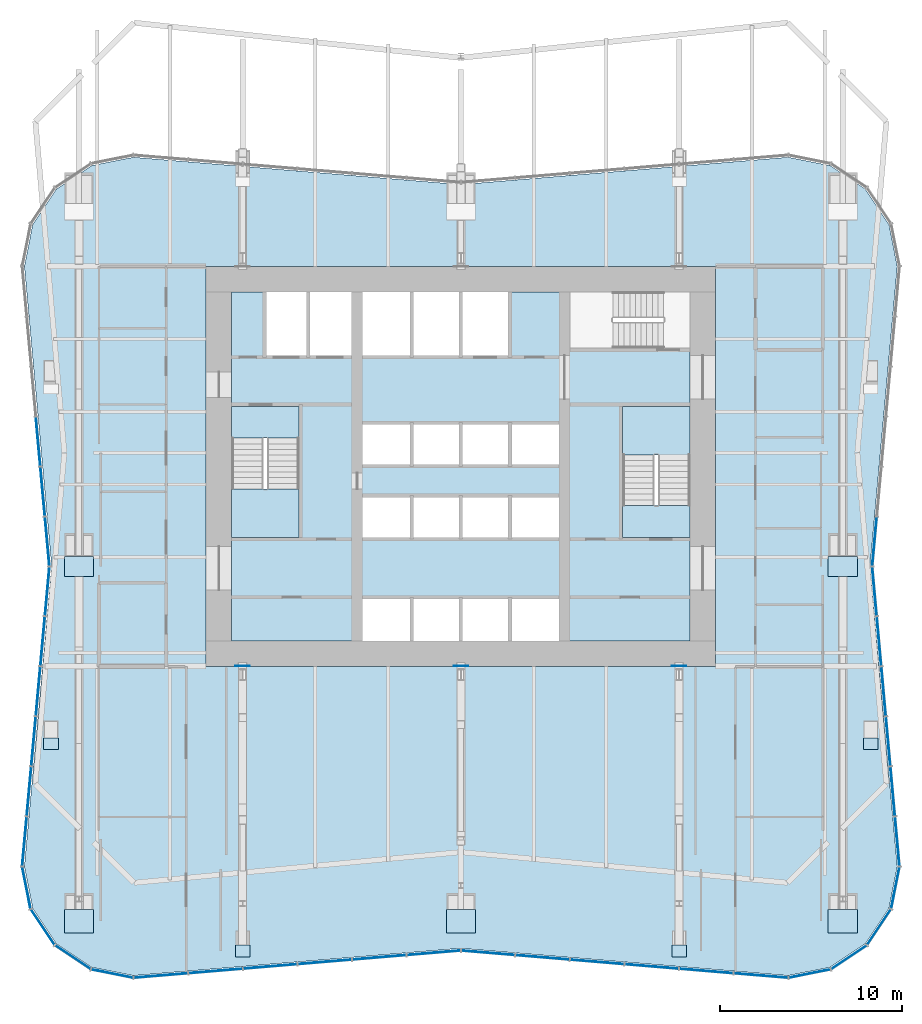
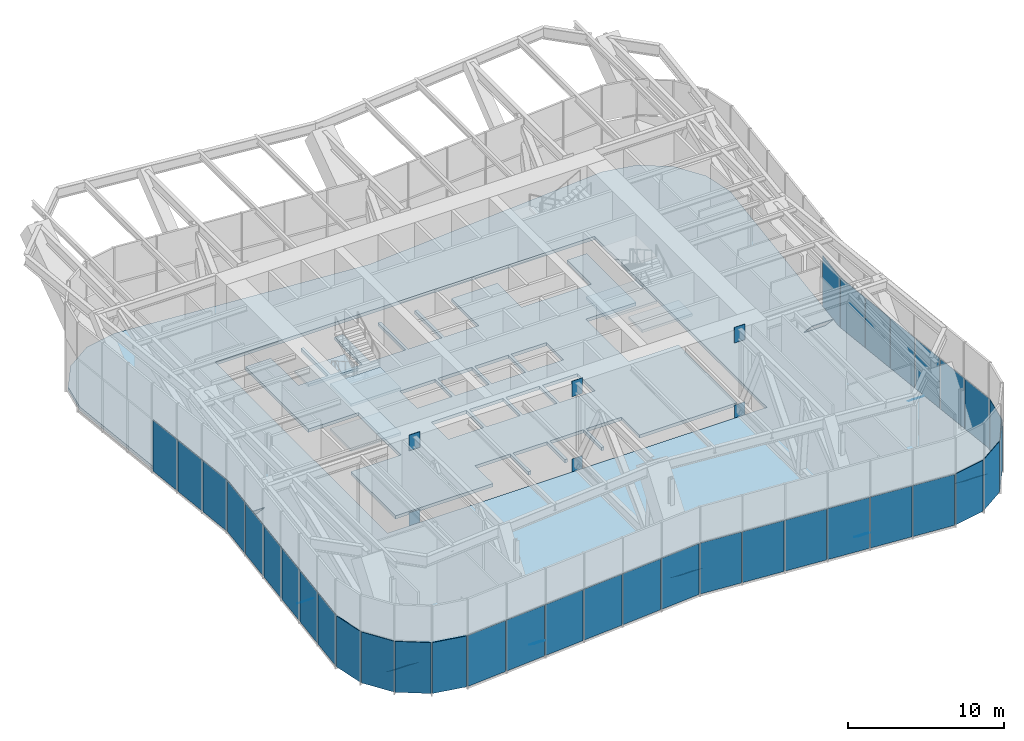
# One storey, part 10 of 17: 51 plates, 7 slabs, 7 elements without a shape of their own.
"""IFC4 building model written with IfcOpenShell, lengths in metres."""

import ifcopenshell
import ifcopenshell.guid

model = None  # the IFC model being written
_history = None  # IfcOwnerHistory: only IFC2X3 demands one
_inside = {}  # id of a spatial element -> (the spatial element, [elements in it])
_under = {}  # id of a project, library or spatial element -> (it, [spatial elements below it])
_declared = {}  # id of a project -> (the project, [libraries it declares])
_typed = {}  # id of a type object -> (the type object, [elements of that type])
_made_of = {}  # id of a material, layer set ... -> (it, [elements and type objects made of it])


def new_model(schema):
    """Start an empty IFC model of exactly this schema.

    Asked for "IFC4X3", IfcOpenShell would pick the latest addendum, in which some entities
    have other attributes; the version numbers below select the first issue.
    IFC2X3 requires an IfcOwnerHistory on every rooted entity: one is made here for all.
    """
    global model, _history
    if schema == "IFC4X3":
        model = ifcopenshell.file(schema_version=(4, 3, 0, 0))
    else:
        model = ifcopenshell.file(schema=schema)
    _inside.clear()
    _under.clear()
    _declared.clear()
    _typed.clear()
    _made_of.clear()
    _history = None
    if model.schema == "IFC2X3":
        org = make("IfcOrganization", Name="unknown")
        user = make(
            "IfcPersonAndOrganization",
            ThePerson=make("IfcPerson", FamilyName="unknown"),
            TheOrganization=org,
        )
        app = make(
            "IfcApplication",
            ApplicationDeveloper=org,
            Version="unknown",
            ApplicationFullName="unknown",
            ApplicationIdentifier="unknown",
        )
        _history = make(
            "IfcOwnerHistory",
            OwningUser=user,
            OwningApplication=app,
            ChangeAction="ADDED",
            CreationDate=0,
        )
    return model


def make(cls, **values):
    """One entity of the class cls with the attributes given. An attribute that is None is left unset."""
    return model.create_entity(
        cls, **{name: value for name, value in values.items() if value is not None}
    )


def rooted(cls, **values):
    """An entity with a GlobalId (a new one), such as an element, a storey or a relation."""
    return make(cls, GlobalId=ifcopenshell.guid.new(), OwnerHistory=_history, **values)


def si_unit(unit_type, name, prefix=None):
    """IfcSIUnit, for example si_unit("LENGTHUNIT", "METRE", prefix="MILLI")."""
    return make("IfcSIUnit", UnitType=unit_type, Prefix=prefix, Name=name)


def assignment(units):
    """IfcUnitAssignment: the units of a project."""
    return None if units is None else make("IfcUnitAssignment", Units=units)


def point(xyz):
    """IfcCartesianPoint."""
    return None if xyz is None else make("IfcCartesianPoint", Coordinates=xyz)


def direction(xyz):
    """IfcDirection."""
    return None if xyz is None else make("IfcDirection", DirectionRatios=xyz)


def frame(location, z_axis=None, x_axis=None):
    """IfcAxis2Placement3D, a coordinate frame: its origin and axes. An axis left out is left unset."""
    return make(
        "IfcAxis2Placement3D",
        Location=point(location),
        Axis=direction(z_axis),
        RefDirection=direction(x_axis),
    )


def frame_2d(location, x_axis=None):
    """IfcAxis2Placement2D, a coordinate frame in the plane: its origin and x axis."""
    return make(
        "IfcAxis2Placement2D", Location=point(location), RefDirection=direction(x_axis)
    )


def origin():
    """The frame at (0, 0, 0) with its axes left unset."""
    return frame((0.0, 0.0, 0.0))


def origin_2d():
    """The frame at (0, 0) in the plane with its x axis left unset."""
    return frame_2d((0.0, 0.0))


def place(relative_to, where):
    """IfcLocalPlacement: puts the frame where relative to a parent placement (None: the world)."""
    return make(
        "IfcLocalPlacement", PlacementRelTo=relative_to, RelativePlacement=where
    )


def context(
    kind, dimensions, precision=None, world=None, true_north=None, identifier=None
):
    """IfcGeometricRepresentationContext, for example the 3D "Model" context."""
    return make(
        "IfcGeometricRepresentationContext",
        ContextIdentifier=identifier,
        ContextType=kind,
        CoordinateSpaceDimension=dimensions,
        Precision=precision,
        WorldCoordinateSystem=world,
        TrueNorth=true_north,
    )


def subcontext(parent, identifier, kind, view, scale=None):
    """IfcGeometricRepresentationSubContext, for example "Body" below "Model"."""
    return make(
        "IfcGeometricRepresentationSubContext",
        ContextIdentifier=identifier,
        ContextType=kind,
        ParentContext=parent,
        TargetScale=scale,
        TargetView=view,
    )


def project(units=None, contexts=None):
    """IfcProject with its units and contexts."""
    return rooted(
        "IfcProject",
        Name="project",
        RepresentationContexts=contexts,
        UnitsInContext=assignment(units),
    )


def spatial(cls, under=None, at=None, **own):
    """A site, building, storey or space (cls), placed at a placement, below another one or the project."""
    s = rooted(cls, ObjectPlacement=at, **own)
    if under is not None:
        _under.setdefault(under.id(), (under, []))[1].append(s)
    return s


def polyline(points):
    """IfcPolyline through the points."""
    return make("IfcPolyline", Points=[point(p) for p in points])


def profile(cls, at=None, kind="AREA", **sizes):
    """A parametric profile (cls). Its sizes go by their IFC names, for example OverallWidth=200.0."""
    return make(cls, ProfileType=kind, Position=at, **sizes)


def rectangle(**sizes):
    """IfcRectangleProfileDef."""
    return profile("IfcRectangleProfileDef", **sizes)


def outline(outer, holes=None, kind="AREA"):
    """IfcArbitraryClosedProfileDef: a profile drawn as a closed curve; with holes, ...WithVoids."""
    if holes is None:
        return make("IfcArbitraryClosedProfileDef", ProfileType=kind, OuterCurve=outer)
    return make(
        "IfcArbitraryProfileDefWithVoids",
        ProfileType=kind,
        OuterCurve=outer,
        InnerCurves=holes,
    )


def extrude(swept, where, along, depth):
    """IfcExtrudedAreaSolid: the profile swept, set in the frame where, extruded along a direction by depth."""
    return make(
        "IfcExtrudedAreaSolid",
        SweptArea=swept,
        Position=where,
        ExtrudedDirection=direction(along),
        Depth=depth,
    )


def shape(context_of_items, identifier, shape_type, items):
    """IfcShapeRepresentation: the items that make up one representation, for example the "Body"."""
    return make(
        "IfcShapeRepresentation",
        ContextOfItems=context_of_items,
        RepresentationIdentifier=identifier,
        RepresentationType=shape_type,
        Items=items,
    )


def material(Name=None, Category=None):
    """IfcMaterial."""
    return make("IfcMaterial", Name=Name, Category=Category)


def layer(
    of_material, thickness, ventilated=None, Name=None, Category=None, Priority=None
):
    """IfcMaterialLayer: one layer of a wall or slab, of a material (None: an air gap)."""
    return make(
        "IfcMaterialLayer",
        Material=of_material,
        LayerThickness=thickness,
        IsVentilated=ventilated,
        Name=Name,
        Category=Category,
        Priority=Priority,
    )


def layer_set(layers, Name=None):
    """IfcMaterialLayerSet."""
    return make("IfcMaterialLayerSet", MaterialLayers=layers, LayerSetName=Name)


def made_of(thing, what):
    """Note that an element or type object is made of a material, layer set ...; save() writes the relation."""
    if what is not None:
        _made_of.setdefault(what.id(), (what, []))[1].append(thing)
    return thing


def type_object(cls, material=None, **own):
    """A type object (cls), such as IfcWallType, which elements share."""
    return made_of(rooted(cls, **own), material)


def element(
    cls,
    number,
    at=None,
    inside=None,
    cuts=None,
    type_object=None,
    material=None,
    context=None,
    identifier="Body",
    shape_type=None,
    held_by="IfcProductDefinitionShape",
    body=None,
    shapes=None,
    **own,
):
    """One element of the class cls, such as IfcWall. Its Tag is "e" and its number.

    at: its placement. inside: the storey or other place that contains it. cuts: it is an
    opening in that element (IfcRelVoidsElement). A single representation is given by context,
    identifier, shape_type and body (its items); several are given by shapes. held_by: the class
    of the entity that holds the representations. save() writes the other relations.
    """
    e = rooted(cls, Tag="e%d" % number, ObjectPlacement=at, **own)
    if body is not None:
        shapes = [shape(context, identifier, shape_type, body)]
    if shapes is not None:
        e.Representation = make(held_by, Representations=shapes)
    if inside is not None:
        _inside.setdefault(inside.id(), (inside, []))[1].append(e)
    if cuts is not None:
        rooted(
            "IfcRelVoidsElement", RelatingBuildingElement=cuts, RelatedOpeningElement=e
        )
    if type_object is not None:
        _typed.setdefault(type_object.id(), (type_object, []))[1].append(e)
    return made_of(e, material)


def aggregate(whole, parts):
    """IfcRelAggregates: a whole, such as a stair, and the parts it consists of."""
    return rooted("IfcRelAggregates", RelatingObject=whole, RelatedObjects=parts)


def save(model, path):
    """Write the relations noted so far, then the file.

    IfcRelAggregates (storeys below a building ...), IfcRelContainedInSpatialStructure (elements
    in a storey), IfcRelDefinesByType, IfcRelAssociatesMaterial and IfcRelDeclares: one each for
    every whole, place, type object, material and project.
    """
    for whole, parts in _under.values():
        aggregate(whole, parts)
    for where, things in _inside.values():
        rooted(
            "IfcRelContainedInSpatialStructure",
            RelatedElements=things,
            RelatingStructure=where,
        )
    for kind, things in _typed.values():
        rooted("IfcRelDefinesByType", RelatedObjects=things, RelatingType=kind)
    for what, things in _made_of.values():
        rooted("IfcRelAssociatesMaterial", RelatedObjects=things, RelatingMaterial=what)
    for by, libraries in _declared.values():
        rooted("IfcRelDeclares", RelatingContext=by, RelatedDefinitions=libraries)
    model.write(path)


model = new_model("IFC4")

# Units and contexts
model_context = context("Model", 3, precision=1e-05, world=origin(), true_north=direction((0.0, 1.0)))
body_context = subcontext(model_context, "Body", "Model", "MODEL_VIEW")
ifc_project = project(units=[si_unit("LENGTHUNIT", "METRE"), si_unit("AREAUNIT", "SQUARE_METRE"), si_unit("VOLUMEUNIT", "CUBIC_METRE"), si_unit("PLANEANGLEUNIT", "RADIAN"), si_unit("MASSUNIT", "GRAM", prefix="KILO")], contexts=[model_context])

# Site, building, storey
site_placement = place(None, origin())
site = spatial("IfcSite", under=ifc_project, at=site_placement, CompositionType="ELEMENT")
building_placement = place(site_placement, origin())
building = spatial("IfcBuilding", under=site, at=building_placement, Name="Verdant Reach Tower", CompositionType="ELEMENT")
storey_placement = place(building_placement, frame((0.0, 0.0, 58.0)))
storey = spatial("IfcBuildingStorey", under=building, at=storey_placement, Name="L13 Plant", CompositionType="ELEMENT", Elevation=58.0)

# Stair, slabs
ifc_material_1 = material(Name="Concrete C40/50", Category="concrete")
stair_type = type_object("IfcStairType", Name="CO-STAIR", PredefinedType="HALF_TURN_STAIR", material=ifc_material_1)
stair_1_placement = place(storey_placement, origin())
stair_1 = element("IfcStair", 1, at=stair_1_placement, inside=storey, type_object=stair_type, Name="L13 Plant Exit stair 1", PredefinedType="HALF_TURN_STAIR")
ifc_layer_1 = layer(ifc_material_1, 0.199951171875)
ifc_layer_set_1 = layer_set([ifc_layer_1], Name="CO-STAIR-LANDING")
slab_type_1 = type_object("IfcSlabType", Name="CO-STAIR-LANDING", PredefinedType="LANDING", material=ifc_layer_set_1)
slab_1_placement = place(storey_placement, frame((0.0, 0.0, 1.550048828125)))
slab_1 = element("IfcSlab", 2, at=slab_1_placement, type_object=slab_type_1, Name="ST-1 landing 1", PredefinedType="LANDING", context=body_context, shape_type="SweptSolid", body=[
    extrude(outline(polyline([(-12.60009765625, 26.760009765625), (-12.60009765625, 24.10009765625), (-8.89990234375, 24.10009765625), (-8.89990234375, 26.760009765625), (-12.60009765625, 26.760009765625)])), origin(), (0.0, 0.0, 1.0), 0.199951171875),
])
slab_2_placement = place(storey_placement, frame((0.0, 0.0, 3.300048828125)))
slab_2 = element("IfcSlab", 3, at=slab_2_placement, type_object=slab_type_1, Name="ST-1 landing 2", PredefinedType="LANDING", context=body_context, shape_type="SweptSolid", body=[
    extrude(outline(polyline([(-12.60009765625, 31.300048828125), (-12.60009765625, 29.550048828125), (-8.89990234375, 29.550048828125), (-8.89990234375, 31.300048828125), (-12.60009765625, 31.300048828125)])), origin(), (0.0, 0.0, 1.0), 0.199951171875),
])
slab_3_placement = place(storey_placement, frame((0.0, 0.0, 5.050048828125)))
slab_3 = element("IfcSlab", 4, at=slab_3_placement, type_object=slab_type_1, Name="ST-1 landing 3", PredefinedType="LANDING", context=body_context, shape_type="SweptSolid", body=[
    extrude(outline(polyline([(-12.60009765625, 26.760009765625), (-12.60009765625, 24.10009765625), (-8.89990234375, 24.10009765625), (-8.89990234375, 26.760009765625), (-12.60009765625, 26.760009765625)])), origin(), (0.0, 0.0, 1.0), 0.199951171875),
])
aggregate(stair_1, [slab_1, slab_2, slab_3])

stair_2_placement = place(storey_placement, origin())
stair_2 = element("IfcStair", 5, at=stair_2_placement, inside=storey, type_object=stair_type, Name="L13 Plant Exit stair 2", PredefinedType="HALF_TURN_STAIR")
slab_4_placement = place(storey_placement, frame((0.0, 0.0, 1.550048828125)))
slab_4 = element("IfcSlab", 6, at=slab_4_placement, type_object=slab_type_1, Name="ST-2 landing 1", PredefinedType="LANDING", context=body_context, shape_type="SweptSolid", body=[
    extrude(outline(polyline([(12.60009765625, 28.639892578125), (12.60009765625, 31.300048828125), (8.89990234375, 31.300048828125), (8.89990234375, 28.639892578125), (12.60009765625, 28.639892578125)])), origin(), (0.0, 0.0, 1.0), 0.199951171875),
])
slab_5_placement = place(storey_placement, frame((0.0, 0.0, 3.300048828125)))
slab_5 = element("IfcSlab", 7, at=slab_5_placement, type_object=slab_type_1, Name="ST-2 landing 2", PredefinedType="LANDING", context=body_context, shape_type="SweptSolid", body=[
    extrude(outline(polyline([(12.60009765625, 24.10009765625), (12.60009765625, 25.85009765625), (8.89990234375, 25.85009765625), (8.89990234375, 24.10009765625), (12.60009765625, 24.10009765625)])), origin(), (0.0, 0.0, 1.0), 0.199951171875),
])
aggregate(stair_2, [slab_4, slab_5])

# Curtain wall, plates
ifc_material_2 = material(Name="Anodised aluminium", Category="aluminium")
curtain_wall_type = type_object("IfcCurtainWallType", Name="EN-CW SYSTEM PLANT", PredefinedType="NOTDEFINED", material=ifc_material_2)
curtain_wall_1_placement = place(storey_placement, origin())
curtain_wall_1 = element("IfcCurtainWall", 8, at=curtain_wall_1_placement, inside=storey, type_object=curtain_wall_type, Name="Curtain wall south-east corner, L13", PredefinedType="NOTDEFINED")
ifc_material_3 = material(Name="Bronze anodised aluminium solid panel", Category="aluminium")
ifc_layer_2 = layer(ifc_material_3, 0.0400390625)
ifc_layer_set_2 = layer_set([ifc_layer_2], Name="EN-PANEL SOLID")
plate_type_1 = type_object("IfcPlateType", Name="EN-PANEL SOLID", PredefinedType="CURTAIN_PANEL", material=ifc_layer_set_2)
plate_1_placement = place(storey_placement, frame((19.174072265625, 0.114013671875, -0.199951171875), z_axis=(0.0, 0.0, 1.0), x_axis=(0.980694678629, 0.195545256419, 0.0)))
plate_1 = element("IfcPlate", 9, at=plate_1_placement, type_object=plate_type_1, Name="Solid panel south-east corner 1.1, L13", PredefinedType="CURTAIN_PANEL", context=body_context, shape_type="SweptSolid", body=[
    extrude(rectangle(XDim=2.304931640625, YDim=0.0400390625, at=origin_2d()), origin(), (0.0, 0.0, 1.0), 3.97509765625),
])
plate_2_placement = place(storey_placement, frame((21.334228515625, 1.010009765625, -0.199951171875), z_axis=(0.0, 0.0, 1.0), x_axis=(0.83145208321, 0.555596466265, 0.0)))
plate_2 = element("IfcPlate", 10, at=plate_2_placement, type_object=plate_type_1, Name="Solid panel south-east corner 2.1, L13", PredefinedType="CURTAIN_PANEL", context=body_context, shape_type="SweptSolid", body=[
    extrude(rectangle(XDim=2.3115234375, YDim=0.0400390625, at=origin_2d()), origin(), (0.0, 0.0, 1.0), 3.97509765625),
])
plate_3_placement = place(storey_placement, frame((22.989990234375, 2.665771484375, -0.199951171875), z_axis=(0.0, 0.0, 1.0), x_axis=(0.555596466265, 0.83145208321, 0.0)))
plate_3 = element("IfcPlate", 11, at=plate_3_placement, type_object=plate_type_1, Name="Solid panel south-east corner 3.1, L13", PredefinedType="CURTAIN_PANEL", context=body_context, shape_type="SweptSolid", body=[
    extrude(rectangle(XDim=2.3115234375, YDim=0.0400390625, at=origin_2d()), origin(), (0.0, 0.0, 1.0), 3.97509765625),
])
plate_4_placement = place(storey_placement, frame((23.885986328125, 4.825927734375, -0.199951171875), z_axis=(0.0, 0.0, 1.0), x_axis=(0.195519165622, 0.980699880633, 0.0)))
plate_4 = element("IfcPlate", 12, at=plate_4_placement, type_object=plate_type_1, Name="Solid panel south-east corner 4.1, L13", PredefinedType="CURTAIN_PANEL", context=body_context, shape_type="SweptSolid", body=[
    extrude(rectangle(XDim=2.305419921875, YDim=0.0400390625, at=origin_2d()), origin(), (0.0, 0.0, 1.0), 3.97509765625),
])
aggregate(curtain_wall_1, [plate_1, plate_2, plate_3, plate_4])

curtain_wall_2_placement = place(storey_placement, origin())
curtain_wall_2 = element("IfcCurtainWall", 13, at=curtain_wall_2_placement, inside=storey, type_object=curtain_wall_type, Name="Curtain wall east, L13", PredefinedType="NOTDEFINED")
plate_5_placement = place(storey_placement, frame((23.99365234375, 7.377197265625, -0.199951171875), z_axis=(0.0, 0.0, 1.0), x_axis=(-0.090097307904, 0.995932967176, 0.0)))
plate_5 = element("IfcPlate", 14, at=plate_5_placement, type_object=plate_type_1, Name="Solid panel east face part 1 1.1, L13", PredefinedType="CURTAIN_PANEL", context=body_context, shape_type="SweptSolid", body=[
    extrude(rectangle(XDim=2.702392578125, YDim=0.0400390625, at=origin_2d()), origin(), (0.0, 0.0, 1.0), 3.97509765625),
])
plate_6_placement = place(storey_placement, frame((23.743408203125, 10.1357421875, -0.199951171875), z_axis=(0.0, 0.0, 1.0), x_axis=(-0.090535746047, 0.995893206467, 0.0)))
plate_6 = element("IfcPlate", 15, at=plate_6_placement, type_object=plate_type_1, Name="Solid panel east face part 1 2.1, L13", PredefinedType="CURTAIN_PANEL", context=body_context, shape_type="SweptSolid", body=[
    extrude(rectangle(XDim=2.685302734375, YDim=0.0400390625, at=origin_2d()), origin(), (0.0, 0.0, 1.0), 3.97509765625),
])
plate_7_placement = place(storey_placement, frame((23.493408203125, 12.8857421875, -0.199951171875), z_axis=(0.0, 0.0, 1.0), x_axis=(-0.090535746047, 0.995893206467, 0.0)))
plate_7 = element("IfcPlate", 16, at=plate_7_placement, type_object=plate_type_1, Name="Solid panel east face part 1 3.1, L13", PredefinedType="CURTAIN_PANEL", context=body_context, shape_type="SweptSolid", body=[
    extrude(rectangle(XDim=2.685302734375, YDim=0.0400390625, at=origin_2d()), origin(), (0.0, 0.0, 1.0), 3.97509765625),
])
plate_8_placement = place(storey_placement, frame((23.243408203125, 15.6357421875, -0.199951171875), z_axis=(0.0, 0.0, 1.0), x_axis=(-0.090535746047, 0.995893206467, 0.0)))
plate_8 = element("IfcPlate", 17, at=plate_8_placement, type_object=plate_type_1, Name="Solid panel east face part 1 4.1, L13", PredefinedType="CURTAIN_PANEL", context=body_context, shape_type="SweptSolid", body=[
    extrude(rectangle(XDim=2.685302734375, YDim=0.0400390625, at=origin_2d()), origin(), (0.0, 0.0, 1.0), 3.97509765625),
])
plate_9_placement = place(storey_placement, frame((22.993408203125, 18.3857421875, -0.199951171875), z_axis=(0.0, 0.0, 1.0), x_axis=(-0.090535746047, 0.995893206467, 0.0)))
plate_9 = element("IfcPlate", 18, at=plate_9_placement, type_object=plate_type_1, Name="Solid panel east face part 1 5.1, L13", PredefinedType="CURTAIN_PANEL", context=body_context, shape_type="SweptSolid", body=[
    extrude(rectangle(XDim=2.685302734375, YDim=0.0400390625, at=origin_2d()), origin(), (0.0, 0.0, 1.0), 3.97509765625),
])
plate_10_placement = place(storey_placement, frame((22.74365234375, 21.13037109375, -0.199951171875), z_axis=(0.0, 0.0, 1.0), x_axis=(-0.090712690488, 0.99587710476, 0.0)))
plate_10 = element("IfcPlate", 19, at=plate_10_placement, type_object=plate_type_1, Name="Solid panel east face part 1 6.1, L13", PredefinedType="CURTAIN_PANEL", context=body_context, shape_type="SweptSolid", body=[
    extrude(rectangle(XDim=2.674560546875, YDim=0.0400390625, at=origin_2d()), origin(), (0.0, 0.0, 1.0), 3.97509765625),
])
plate_11_placement = place(storey_placement, frame((22.74365234375, 23.86962890625, -0.199951171875), z_axis=(0.0, 0.0, 1.0), x_axis=(0.090712690488, 0.99587710476, 0.0)))
plate_11 = element("IfcPlate", 20, at=plate_11_placement, type_object=plate_type_1, Name="Solid panel east face part 2 1.1, L13", PredefinedType="CURTAIN_PANEL", context=body_context, shape_type="SweptSolid", body=[
    extrude(rectangle(XDim=2.674560546875, YDim=0.0400390625, at=origin_2d()), origin(), (0.0, 0.0, 1.0), 3.97509765625),
])
aggregate(curtain_wall_2, [plate_5, plate_6, plate_7, plate_8, plate_9, plate_10, plate_11])

curtain_wall_3_placement = place(storey_placement, origin())
curtain_wall_3 = element("IfcCurtainWall", 21, at=curtain_wall_3_placement, inside=storey, type_object=curtain_wall_type, Name="Curtain wall west, L13", PredefinedType="NOTDEFINED")
plate_12_placement = place(storey_placement, frame((-23.243408203125, 29.3642578125, -0.199951171875), z_axis=(0.0, 0.0, 1.0), x_axis=(0.090535746047, -0.995893206467, 0.0)))
plate_12 = element("IfcPlate", 22, at=plate_12_placement, type_object=plate_type_1, Name="Solid panel west face part 1 4.1, L13", PredefinedType="CURTAIN_PANEL", context=body_context, shape_type="SweptSolid", body=[
    extrude(rectangle(XDim=2.685302734375, YDim=0.0400390625, at=origin_2d()), origin(), (0.0, 0.0, 1.0), 3.97509765625),
])
plate_13_placement = place(storey_placement, frame((-22.993408203125, 26.6142578125, -0.199951171875), z_axis=(0.0, 0.0, 1.0), x_axis=(0.090535746047, -0.995893206467, 0.0)))
plate_13 = element("IfcPlate", 23, at=plate_13_placement, type_object=plate_type_1, Name="Solid panel west face part 1 5.1, L13", PredefinedType="CURTAIN_PANEL", context=body_context, shape_type="SweptSolid", body=[
    extrude(rectangle(XDim=2.685302734375, YDim=0.0400390625, at=origin_2d()), origin(), (0.0, 0.0, 1.0), 3.97509765625),
])
plate_14_placement = place(storey_placement, frame((-22.74365234375, 23.86962890625, -0.199951171875), z_axis=(0.0, 0.0, 1.0), x_axis=(0.090712690488, -0.99587710476, 0.0)))
plate_14 = element("IfcPlate", 24, at=plate_14_placement, type_object=plate_type_1, Name="Solid panel west face part 1 6.1, L13", PredefinedType="CURTAIN_PANEL", context=body_context, shape_type="SweptSolid", body=[
    extrude(rectangle(XDim=2.674560546875, YDim=0.0400390625, at=origin_2d()), origin(), (0.0, 0.0, 1.0), 3.97509765625),
])
plate_15_placement = place(storey_placement, frame((-22.74365234375, 21.13037109375, -0.199951171875), z_axis=(0.0, 0.0, 1.0), x_axis=(-0.090712690488, -0.99587710476, 0.0)))
plate_15 = element("IfcPlate", 25, at=plate_15_placement, type_object=plate_type_1, Name="Solid panel west face part 2 1.1, L13", PredefinedType="CURTAIN_PANEL", context=body_context, shape_type="SweptSolid", body=[
    extrude(rectangle(XDim=2.674560546875, YDim=0.0400390625, at=origin_2d()), origin(), (0.0, 0.0, 1.0), 3.97509765625),
])
plate_16_placement = place(storey_placement, frame((-22.993408203125, 18.3857421875, -0.199951171875), z_axis=(0.0, 0.0, 1.0), x_axis=(-0.090535746047, -0.995893206467, 0.0)))
plate_16 = element("IfcPlate", 26, at=plate_16_placement, type_object=plate_type_1, Name="Solid panel west face part 2 2.1, L13", PredefinedType="CURTAIN_PANEL", context=body_context, shape_type="SweptSolid", body=[
    extrude(rectangle(XDim=2.685302734375, YDim=0.0400390625, at=origin_2d()), origin(), (0.0, 0.0, 1.0), 3.97509765625),
])
plate_17_placement = place(storey_placement, frame((-23.243408203125, 15.6357421875, -0.199951171875), z_axis=(0.0, 0.0, 1.0), x_axis=(-0.090535746047, -0.995893206467, 0.0)))
plate_17 = element("IfcPlate", 27, at=plate_17_placement, type_object=plate_type_1, Name="Solid panel west face part 2 3.1, L13", PredefinedType="CURTAIN_PANEL", context=body_context, shape_type="SweptSolid", body=[
    extrude(rectangle(XDim=2.685302734375, YDim=0.0400390625, at=origin_2d()), origin(), (0.0, 0.0, 1.0), 3.97509765625),
])
plate_18_placement = place(storey_placement, frame((-23.493408203125, 12.8857421875, -0.199951171875), z_axis=(0.0, 0.0, 1.0), x_axis=(-0.090535746047, -0.995893206467, 0.0)))
plate_18 = element("IfcPlate", 28, at=plate_18_placement, type_object=plate_type_1, Name="Solid panel west face part 2 4.1, L13", PredefinedType="CURTAIN_PANEL", context=body_context, shape_type="SweptSolid", body=[
    extrude(rectangle(XDim=2.685302734375, YDim=0.0400390625, at=origin_2d()), origin(), (0.0, 0.0, 1.0), 3.97509765625),
])
plate_19_placement = place(storey_placement, frame((-23.743408203125, 10.1357421875, -0.199951171875), z_axis=(0.0, 0.0, 1.0), x_axis=(-0.090535746047, -0.995893206467, 0.0)))
plate_19 = element("IfcPlate", 29, at=plate_19_placement, type_object=plate_type_1, Name="Solid panel west face part 2 5.1, L13", PredefinedType="CURTAIN_PANEL", context=body_context, shape_type="SweptSolid", body=[
    extrude(rectangle(XDim=2.685302734375, YDim=0.0400390625, at=origin_2d()), origin(), (0.0, 0.0, 1.0), 3.97509765625),
])
plate_20_placement = place(storey_placement, frame((-23.99365234375, 7.377197265625, -0.199951171875), z_axis=(0.0, 0.0, 1.0), x_axis=(-0.090097307904, -0.995932967176, 0.0)))
plate_20 = element("IfcPlate", 30, at=plate_20_placement, type_object=plate_type_1, Name="Solid panel west face part 2 6.1, L13", PredefinedType="CURTAIN_PANEL", context=body_context, shape_type="SweptSolid", body=[
    extrude(rectangle(XDim=2.702392578125, YDim=0.0400390625, at=origin_2d()), origin(), (0.0, 0.0, 1.0), 3.97509765625),
])
aggregate(curtain_wall_3, [plate_12, plate_13, plate_14, plate_15, plate_16, plate_17, plate_18, plate_19, plate_20])

curtain_wall_4_placement = place(storey_placement, origin())
curtain_wall_4 = element("IfcCurtainWall", 31, at=curtain_wall_4_placement, inside=storey, type_object=curtain_wall_type, Name="Curtain wall south-west corner, L13", PredefinedType="NOTDEFINED")
plate_21_placement = place(storey_placement, frame((-23.885986328125, 4.825927734375, -0.199951171875), z_axis=(0.0, 0.0, 1.0), x_axis=(0.195519165622, -0.980699880633, 0.0)))
plate_21 = element("IfcPlate", 32, at=plate_21_placement, type_object=plate_type_1, Name="Solid panel south-west corner 1.1, L13", PredefinedType="CURTAIN_PANEL", context=body_context, shape_type="SweptSolid", body=[
    extrude(rectangle(XDim=2.305419921875, YDim=0.0400390625, at=origin_2d()), origin(), (0.0, 0.0, 1.0), 3.97509765625),
])
plate_22_placement = place(storey_placement, frame((-22.989990234375, 2.665771484375, -0.199951171875), z_axis=(0.0, 0.0, 1.0), x_axis=(0.555596466265, -0.83145208321, 0.0)))
plate_22 = element("IfcPlate", 33, at=plate_22_placement, type_object=plate_type_1, Name="Solid panel south-west corner 2.1, L13", PredefinedType="CURTAIN_PANEL", context=body_context, shape_type="SweptSolid", body=[
    extrude(rectangle(XDim=2.3115234375, YDim=0.0400390625, at=origin_2d()), origin(), (0.0, 0.0, 1.0), 3.97509765625),
])
plate_23_placement = place(storey_placement, frame((-21.334228515625, 1.010009765625, -0.199951171875), z_axis=(0.0, 0.0, 1.0), x_axis=(0.83145208321, -0.555596466265, 0.0)))
plate_23 = element("IfcPlate", 34, at=plate_23_placement, type_object=plate_type_1, Name="Solid panel south-west corner 3.1, L13", PredefinedType="CURTAIN_PANEL", context=body_context, shape_type="SweptSolid", body=[
    extrude(rectangle(XDim=2.3115234375, YDim=0.0400390625, at=origin_2d()), origin(), (0.0, 0.0, 1.0), 3.97509765625),
])
plate_24_placement = place(storey_placement, frame((-19.174072265625, 0.114013671875, -0.199951171875), z_axis=(0.0, 0.0, 1.0), x_axis=(0.980694678629, -0.195545256419, 0.0)))
plate_24 = element("IfcPlate", 35, at=plate_24_placement, type_object=plate_type_1, Name="Solid panel south-west corner 4.1, L13", PredefinedType="CURTAIN_PANEL", context=body_context, shape_type="SweptSolid", body=[
    extrude(rectangle(XDim=2.304931640625, YDim=0.0400390625, at=origin_2d()), origin(), (0.0, 0.0, 1.0), 3.97509765625),
])
aggregate(curtain_wall_4, [plate_21, plate_22, plate_23, plate_24])

curtain_wall_5_placement = place(storey_placement, origin())
curtain_wall_5 = element("IfcCurtainWall", 36, at=curtain_wall_5_placement, inside=storey, type_object=curtain_wall_type, Name="Curtain wall south, L13", PredefinedType="NOTDEFINED")
plate_25_placement = place(storey_placement, frame((-16.49853515625, 0.00634765625, -0.199951171875), z_axis=(0.0, 0.0, 1.0), x_axis=(0.996577509664, 0.082663578629, 0.0)))
plate_25 = element("IfcPlate", 37, at=plate_25_placement, type_object=plate_type_1, Name="Solid panel south face part 1 1.1, L13", PredefinedType="CURTAIN_PANEL", context=body_context, shape_type="SweptSolid", body=[
    extrude(rectangle(XDim=2.950927734375, YDim=0.0400390625, at=origin_2d()), origin(), (0.0, 0.0, 1.0), 3.97509765625),
])
plate_26_placement = place(storey_placement, frame((-13.490234375, 0.25634765625, -0.199951171875), z_axis=(0.0, 0.0, 1.0), x_axis=(0.996545758244, 0.083045479859, 0.0)))
plate_26 = element("IfcPlate", 38, at=plate_26_placement, type_object=plate_type_1, Name="Solid panel south face part 1 2.1, L13", PredefinedType="CURTAIN_PANEL", context=body_context, shape_type="SweptSolid", body=[
    extrude(rectangle(XDim=2.934326171875, YDim=0.0400390625, at=origin_2d()), origin(), (0.0, 0.0, 1.0), 3.97509765625),
])
plate_27_placement = place(storey_placement, frame((-10.490234375, 0.50634765625, -0.199951171875), z_axis=(0.0, 0.0, 1.0), x_axis=(0.996545758244, 0.083045479859, 0.0)))
plate_27 = element("IfcPlate", 39, at=plate_27_placement, type_object=plate_type_1, Name="Solid panel south face part 1 3.1, L13", PredefinedType="CURTAIN_PANEL", context=body_context, shape_type="SweptSolid", body=[
    extrude(rectangle(XDim=2.934326171875, YDim=0.0400390625, at=origin_2d()), origin(), (0.0, 0.0, 1.0), 3.97509765625),
])
plate_28_placement = place(storey_placement, frame((-7.490234375, 0.75634765625, -0.199951171875), z_axis=(0.0, 0.0, 1.0), x_axis=(0.996545758244, 0.083045479859, 0.0)))
plate_28 = element("IfcPlate", 40, at=plate_28_placement, type_object=plate_type_1, Name="Solid panel south face part 1 4.1, L13", PredefinedType="CURTAIN_PANEL", context=body_context, shape_type="SweptSolid", body=[
    extrude(rectangle(XDim=2.934326171875, YDim=0.0400390625, at=origin_2d()), origin(), (0.0, 0.0, 1.0), 3.97509765625),
])
plate_29_placement = place(storey_placement, frame((-4.490234375, 1.00634765625, -0.199951171875), z_axis=(0.0, 0.0, 1.0), x_axis=(0.996545758244, 0.083045479859, 0.0)))
plate_29 = element("IfcPlate", 41, at=plate_29_placement, type_object=plate_type_1, Name="Solid panel south face part 1 5.1, L13", PredefinedType="CURTAIN_PANEL", context=body_context, shape_type="SweptSolid", body=[
    extrude(rectangle(XDim=2.934326171875, YDim=0.0400390625, at=origin_2d()), origin(), (0.0, 0.0, 1.0), 3.97509765625),
])
plate_30_placement = place(storey_placement, frame((-1.4951171875, 1.256103515625, -0.199951171875), z_axis=(0.0, 0.0, 1.0), x_axis=(0.996534372104, 0.083182000546, 0.0)))
plate_30 = element("IfcPlate", 42, at=plate_30_placement, type_object=plate_type_1, Name="Solid panel south face part 1 6.1, L13", PredefinedType="CURTAIN_PANEL", context=body_context, shape_type="SweptSolid", body=[
    extrude(rectangle(XDim=2.924560546875, YDim=0.0400390625, at=origin_2d()), origin(), (0.0, 0.0, 1.0), 3.97509765625),
])
plate_31_placement = place(storey_placement, frame((1.4951171875, 1.256103515625, -0.199951171875), z_axis=(0.0, 0.0, 1.0), x_axis=(0.996534372104, -0.083182000546, 0.0)))
plate_31 = element("IfcPlate", 43, at=plate_31_placement, type_object=plate_type_1, Name="Solid panel south face part 2 1.1, L13", PredefinedType="CURTAIN_PANEL", context=body_context, shape_type="SweptSolid", body=[
    extrude(rectangle(XDim=2.924560546875, YDim=0.0400390625, at=origin_2d()), origin(), (0.0, 0.0, 1.0), 3.97509765625),
])
plate_32_placement = place(storey_placement, frame((4.490234375, 1.00634765625, -0.199951171875), z_axis=(0.0, 0.0, 1.0), x_axis=(0.996545758244, -0.083045479859, 0.0)))
plate_32 = element("IfcPlate", 44, at=plate_32_placement, type_object=plate_type_1, Name="Solid panel south face part 2 2.1, L13", PredefinedType="CURTAIN_PANEL", context=body_context, shape_type="SweptSolid", body=[
    extrude(rectangle(XDim=2.934326171875, YDim=0.0400390625, at=origin_2d()), origin(), (0.0, 0.0, 1.0), 3.97509765625),
])
plate_33_placement = place(storey_placement, frame((7.490234375, 0.75634765625, -0.199951171875), z_axis=(0.0, 0.0, 1.0), x_axis=(0.996545758244, -0.083045479859, 0.0)))
plate_33 = element("IfcPlate", 45, at=plate_33_placement, type_object=plate_type_1, Name="Solid panel south face part 2 3.1, L13", PredefinedType="CURTAIN_PANEL", context=body_context, shape_type="SweptSolid", body=[
    extrude(rectangle(XDim=2.934326171875, YDim=0.0400390625, at=origin_2d()), origin(), (0.0, 0.0, 1.0), 3.97509765625),
])
plate_34_placement = place(storey_placement, frame((10.490234375, 0.50634765625, -0.199951171875), z_axis=(0.0, 0.0, 1.0), x_axis=(0.996545758244, -0.083045479859, 0.0)))
plate_34 = element("IfcPlate", 46, at=plate_34_placement, type_object=plate_type_1, Name="Solid panel south face part 2 4.1, L13", PredefinedType="CURTAIN_PANEL", context=body_context, shape_type="SweptSolid", body=[
    extrude(rectangle(XDim=2.934326171875, YDim=0.0400390625, at=origin_2d()), origin(), (0.0, 0.0, 1.0), 3.97509765625),
])
plate_35_placement = place(storey_placement, frame((13.490234375, 0.25634765625, -0.199951171875), z_axis=(0.0, 0.0, 1.0), x_axis=(0.996545758244, -0.083045479859, 0.0)))
plate_35 = element("IfcPlate", 47, at=plate_35_placement, type_object=plate_type_1, Name="Solid panel south face part 2 5.1, L13", PredefinedType="CURTAIN_PANEL", context=body_context, shape_type="SweptSolid", body=[
    extrude(rectangle(XDim=2.934326171875, YDim=0.0400390625, at=origin_2d()), origin(), (0.0, 0.0, 1.0), 3.97509765625),
])
plate_36_placement = place(storey_placement, frame((16.49853515625, 0.00634765625, -0.199951171875), z_axis=(0.0, 0.0, 1.0), x_axis=(0.996577509664, -0.082663578629, 0.0)))
plate_36 = element("IfcPlate", 48, at=plate_36_placement, type_object=plate_type_1, Name="Solid panel south face part 2 6.1, L13", PredefinedType="CURTAIN_PANEL", context=body_context, shape_type="SweptSolid", body=[
    extrude(rectangle(XDim=2.950927734375, YDim=0.0400390625, at=origin_2d()), origin(), (0.0, 0.0, 1.0), 3.97509765625),
])
aggregate(curtain_wall_5, [plate_25, plate_26, plate_27, plate_28, plate_29, plate_30, plate_31, plate_32, plate_33, plate_34, plate_35, plate_36])

# Plates
ifc_material_4 = material(Name="Steel S460", Category="steel")
ifc_layer_3 = layer(ifc_material_4, 0.030029296875)
ifc_layer_set_3 = layer_set([ifc_layer_3], Name="ST-PLATE-CASTIN30")
plate_type_2 = type_object("IfcPlateType", Name="ST-PLATE-CASTIN30", PredefinedType="SHEET", material=ifc_layer_set_3)
plate_37_placement = place(storey_placement, frame((-12.0, 17.014892578125, -0.19287109375), z_axis=(0.0, 0.0, 1.0), x_axis=(1.0, 0.0, 0.0)))
element("IfcPlate", 49, at=plate_37_placement, inside=storey, type_object=plate_type_2, Name="CAST-IN PLATE, outrigger truss C south bottom chord, L13 Plant", PredefinedType="SHEET", context=body_context, shape_type="SweptSolid", body=[
    extrude(rectangle(XDim=0.800048828125, YDim=0.030029296875, at=origin_2d()), origin(), (0.0, 0.0, 1.0), 1.199951171875),
])
plate_38_placement = place(storey_placement, frame((-12.0, 17.014892578125, 5.85595703125), z_axis=(0.0, 0.0, 1.0), x_axis=(1.0, 0.0, 0.0)))
element("IfcPlate", 50, at=plate_38_placement, inside=storey, type_object=plate_type_2, Name="CAST-IN PLATE, outrigger truss C south top chord, L13 Plant", PredefinedType="SHEET", context=body_context, shape_type="SweptSolid", body=[
    extrude(rectangle(XDim=0.800048828125, YDim=0.030029296875, at=origin_2d()), origin(), (0.0, 0.0, 1.0), 1.214111328125),
])
plate_39_placement = place(storey_placement, frame((0.0, 17.014892578125, -0.19287109375), z_axis=(0.0, 0.0, 1.0), x_axis=(1.0, 0.0, 0.0)))
element("IfcPlate", 51, at=plate_39_placement, inside=storey, type_object=plate_type_2, Name="CAST-IN PLATE, outrigger truss D south bottom chord, L13 Plant", PredefinedType="SHEET", context=body_context, shape_type="SweptSolid", body=[
    extrude(rectangle(XDim=0.800048828125, YDim=0.030029296875, at=origin_2d()), origin(), (0.0, 0.0, 1.0), 1.199951171875),
])
plate_40_placement = place(storey_placement, frame((0.0, 17.014892578125, 5.85595703125), z_axis=(0.0, 0.0, 1.0), x_axis=(1.0, 0.0, 0.0)))
element("IfcPlate", 52, at=plate_40_placement, inside=storey, type_object=plate_type_2, Name="CAST-IN PLATE, outrigger truss D south top chord, L13 Plant", PredefinedType="SHEET", context=body_context, shape_type="SweptSolid", body=[
    extrude(rectangle(XDim=0.800048828125, YDim=0.030029296875, at=origin_2d()), origin(), (0.0, 0.0, 1.0), 1.214111328125),
])
plate_41_placement = place(storey_placement, frame((12.0, 17.014892578125, -0.19287109375), z_axis=(0.0, 0.0, 1.0), x_axis=(1.0, 0.0, 0.0)))
element("IfcPlate", 53, at=plate_41_placement, inside=storey, type_object=plate_type_2, Name="CAST-IN PLATE, outrigger truss E south bottom chord, L13 Plant", PredefinedType="SHEET", context=body_context, shape_type="SweptSolid", body=[
    extrude(rectangle(XDim=0.800048828125, YDim=0.030029296875, at=origin_2d()), origin(), (0.0, 0.0, 1.0), 1.199951171875),
])
plate_42_placement = place(storey_placement, frame((12.0, 17.014892578125, 5.85595703125), z_axis=(0.0, 0.0, 1.0), x_axis=(1.0, 0.0, 0.0)))
element("IfcPlate", 54, at=plate_42_placement, inside=storey, type_object=plate_type_2, Name="CAST-IN PLATE, outrigger truss E south top chord, L13 Plant", PredefinedType="SHEET", context=body_context, shape_type="SweptSolid", body=[
    extrude(rectangle(XDim=0.800048828125, YDim=0.030029296875, at=origin_2d()), origin(), (0.0, 0.0, 1.0), 1.214111328125),
])
ifc_layer_4 = layer(ifc_material_4, 0.02001953125)
ifc_layer_set_4 = layer_set([ifc_layer_4], Name="ST-PLATE-END20")
plate_type_3 = type_object("IfcPlateType", Name="ST-PLATE-END20", PredefinedType="SHEET", material=ifc_layer_set_4)
for number, where, z_axis, x_axis, name in (
    (55, (21.0, 22.4853515625, 0.57421875), (0.0, 0.731055268243, 0.68231825036), (-1.0, 0.0, 0.0), "Cap plate, mega column east, L13 Plant"),
    (56, (21.0, 2.988037109375, 0.473876953125), (0.0, 0.596099998266, 0.802910201746), (-1.0, 0.0, 0.0), "Cap plate, mega column south-east, L13 Plant"),
    (57, (0.0, 2.988037109375, 0.473876953125), (0.0, 0.596099998266, 0.802910201746), (-1.0, 0.0, 0.0), "Cap plate, mega column south, L13 Plant"),
    (58, (-21.0, 2.988037109375, 0.473876953125), (0.0, 0.596099998266, 0.802910201746), (-1.0, 0.0, 0.0), "Cap plate, mega column south-west, L13 Plant"),
    (59, (-21.0, 22.4853515625, 0.57421875), (0.0, 0.731055268243, 0.68231825036), (-1.0, 0.0, 0.0), "Cap plate, mega column west, L13 Plant"),
):
    element("IfcPlate", number, at=place(storey_placement, frame(where, z_axis=z_axis, x_axis=x_axis)), inside=storey, type_object=plate_type_3, Name=name, PredefinedType="SHEET", context=body_context, shape_type="SweptSolid", body=[
        extrude(rectangle(XDim=1.60009765625, YDim=1.60009765625, at=origin_2d()), origin(), (0.0, 0.0, 1.0), 0.02001953125),
    ])
for number, where, z_axis, x_axis, name in (
    (60, (-12.0, 1.338623046875, 0.238525390625), (0.0, 0.57428210862, 0.81865747399), (-1.0, 0.0, 0.0), "Cap plate, perimeter column south 1, L13 Plant"),
    (61, (12.0, 1.338623046875, 0.238525390625), (0.0, 0.57428210862, 0.81865747399), (-1.0, 0.0, 0.0), "Cap plate, perimeter column south 2, L13 Plant"),
    (62, (22.536376953125, 12.7373046875, 0.26318359375), (0.0, 0.63656503651, 0.771223025002), (-1.0, 0.0, 0.0), "Cap plate, perimeter column east 1, L13 Plant"),
    (63, (-22.536376953125, 12.7373046875, 0.26318359375), (0.0, 0.63656503651, 0.771223025002), (-1.0, 0.0, 0.0), "Cap plate, perimeter column west 1, L13 Plant"),
):
    element("IfcPlate", number, at=place(storey_placement, frame(where, z_axis=z_axis, x_axis=x_axis)), inside=storey, type_object=plate_type_3, Name=name, PredefinedType="SHEET", context=body_context, shape_type="SweptSolid", body=[
        extrude(rectangle(XDim=0.800048828125, YDim=0.800048828125, at=origin_2d()), origin(), (0.0, 0.0, 1.0), 0.02001953125),
    ])

# Slabs
ifc_material_5 = material(Name="Concrete C35/45", Category="concrete")
ifc_layer_5 = layer(ifc_material_5, 0.25)
ifc_layer_set_5 = layer_set([ifc_layer_5], Name="ST-SLAB-250")
slab_type_2 = type_object("IfcSlabType", Name="ST-SLAB-250", PredefinedType="FLOOR", material=ifc_layer_set_5)
slab_6_placement = place(storey_placement, frame((0.0, 0.0, -0.25)))
element("IfcSlab", 64, at=slab_6_placement, inside=storey, type_object=slab_type_2, Name="Floor slab L13 Plant", PredefinedType="FLOOR", context=body_context, shape_type="SweptSolid", body=[
    extrude(outline(polyline([(0.0, 1.5), (-18.0, 0.0), (-20.296142578125, 0.456787109375), (-22.24267578125, 1.75732421875), (-23.543212890625, 3.703857421875), (-24.0, 6.0), (-22.5, 22.5), (-24.0, 39.0), (-23.543212890625, 41.296142578125), (-22.24267578125, 43.24267578125), (-20.296142578125, 44.543212890625), (-18.0, 45.0), (0.0, 43.5), (18.0, 45.0), (20.296142578125, 44.543212890625), (22.24267578125, 43.24267578125), (23.543212890625, 41.296142578125), (24.0, 39.0), (22.5, 22.5), (24.0, 6.0), (23.543212890625, 3.703857421875), (22.24267578125, 1.75732421875), (20.296142578125, 0.456787109375), (18.0, 0.0), (0.0, 1.5)]), holes=[polyline([(14.0, 39.0), (-14.0, 39.0), (-14.0, 17.0), (14.0, 17.0), (14.0, 39.0)])]), origin(), (0.0, 0.0, 1.0), 0.25),
])
slab_7_placement = place(storey_placement, frame((0.0, 0.0, -0.25)))
element("IfcSlab", 65, at=slab_7_placement, inside=storey, type_object=slab_type_2, Name="Core floor slab L13 Plant", PredefinedType="FLOOR", context=body_context, shape_type="SweptSolid", body=[
    extrude(outline(polyline([(12.60009765625, 18.39990234375), (5.39990234375, 18.39990234375), (5.39990234375, 20.699951171875), (2.800048828125, 20.699951171875), (2.800048828125, 18.39990234375), (2.60009765625, 18.39990234375), (2.60009765625, 20.699951171875), (0.10009765625, 20.699951171875), (0.10009765625, 18.39990234375), (-0.10009765625, 18.39990234375), (-0.10009765625, 20.699951171875), (-2.60009765625, 20.699951171875), (-2.60009765625, 18.39990234375), (-2.800048828125, 18.39990234375), (-2.800048828125, 20.699951171875), (-5.39990234375, 20.699951171875), (-5.39990234375, 18.39990234375), (-12.60009765625, 18.39990234375), (-12.60009765625, 24.10009765625), (-8.89990234375, 24.10009765625), (-8.89990234375, 29.548095703125), (-12.60009765625, 29.548095703125), (-12.60009765625, 37.60009765625), (-10.699951171875, 37.60009765625), (-10.699951171875, 34.10009765625), (-8.5, 34.10009765625), (-8.5, 37.60009765625), (-8.300048828125, 37.60009765625), (-8.300048828125, 34.10009765625), (-6.0, 34.10009765625), (-6.0, 37.60009765625), (-5.39990234375, 37.60009765625), (-5.39990234375, 34.10009765625), (-2.800048828125, 34.10009765625), (-2.800048828125, 37.60009765625), (-2.60009765625, 37.60009765625), (-2.60009765625, 34.10009765625), (-0.10009765625, 34.10009765625), (-0.10009765625, 37.60009765625), (0.10009765625, 37.60009765625), (0.10009765625, 34.10009765625), (2.60009765625, 34.10009765625), (2.60009765625, 37.60009765625), (6.0, 37.60009765625), (6.0, 34.5), (11.14794921875, 34.5), (11.14794921875, 37.60009765625), (12.60009765625, 37.60009765625), (12.60009765625, 31.300048828125), (8.89990234375, 31.300048828125), (8.89990234375, 25.85205078125), (12.60009765625, 25.85205078125), (12.60009765625, 18.39990234375)]), holes=[polyline([(-2.800048828125, 24.10009765625), (-2.800048828125, 26.300048828125), (-5.39990234375, 26.300048828125), (-5.39990234375, 24.10009765625), (-2.800048828125, 24.10009765625)]), polyline([(-2.60009765625, 24.10009765625), (-0.10009765625, 24.10009765625), (-0.10009765625, 26.300048828125), (-2.60009765625, 26.300048828125), (-2.60009765625, 24.10009765625)]), polyline([(-2.800048828125, 28.10009765625), (-2.800048828125, 30.300048828125), (-5.39990234375, 30.300048828125), (-5.39990234375, 28.10009765625), (-2.800048828125, 28.10009765625)]), polyline([(-0.10009765625, 28.10009765625), (-0.10009765625, 30.300048828125), (-2.60009765625, 30.300048828125), (-2.60009765625, 28.10009765625), (-0.10009765625, 28.10009765625)]), polyline([(2.60009765625, 24.10009765625), (2.60009765625, 26.300048828125), (0.10009765625, 26.300048828125), (0.10009765625, 24.10009765625), (2.60009765625, 24.10009765625)]), polyline([(2.800048828125, 24.10009765625), (5.39990234375, 24.10009765625), (5.39990234375, 26.300048828125), (2.800048828125, 26.300048828125), (2.800048828125, 24.10009765625)]), polyline([(2.60009765625, 28.10009765625), (2.60009765625, 30.300048828125), (0.10009765625, 30.300048828125), (0.10009765625, 28.10009765625), (2.60009765625, 28.10009765625)]), polyline([(5.39990234375, 28.10009765625), (5.39990234375, 30.300048828125), (2.800048828125, 30.300048828125), (2.800048828125, 28.10009765625), (5.39990234375, 28.10009765625)])]), origin(), (0.0, 0.0, 1.0), 0.25),
])

save(model, "model.ifc")
